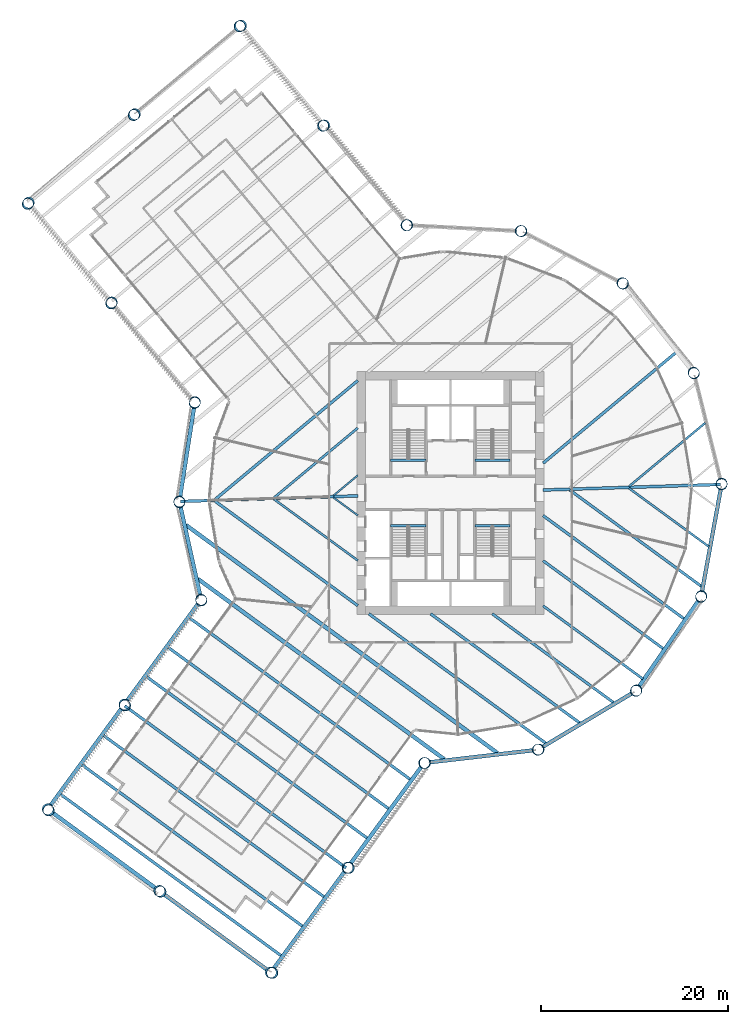
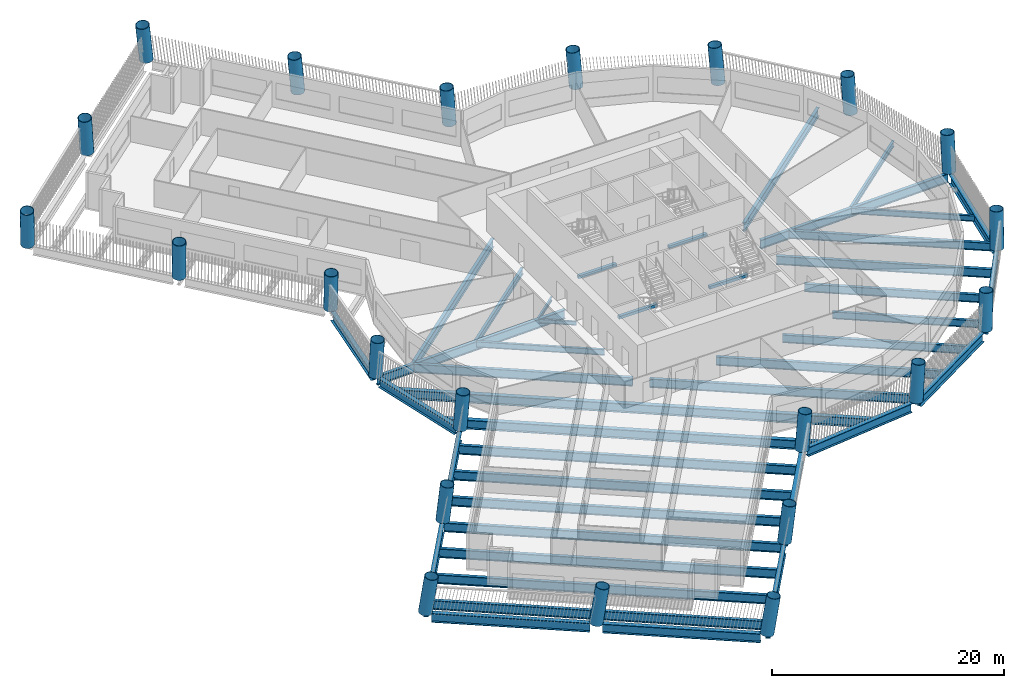
# One storey, part 1 of 15: 43 beams, 22 columns.
"""IFC4 building model written with IfcOpenShell, lengths in metres."""

import ifcopenshell
import ifcopenshell.guid

model = None  # the IFC model being written
_history = None  # IfcOwnerHistory: only IFC2X3 demands one
_inside = {}  # id of a spatial element -> (the spatial element, [elements in it])
_under = {}  # id of a project, library or spatial element -> (it, [spatial elements below it])
_declared = {}  # id of a project -> (the project, [libraries it declares])
_typed = {}  # id of a type object -> (the type object, [elements of that type])
_made_of = {}  # id of a material, layer set ... -> (it, [elements and type objects made of it])


def new_model(schema):
    """Start an empty IFC model of exactly this schema.

    Asked for "IFC4X3", IfcOpenShell would pick the latest addendum, in which some entities
    have other attributes; the version numbers below select the first issue.
    IFC2X3 requires an IfcOwnerHistory on every rooted entity: one is made here for all.
    """
    global model, _history
    if schema == "IFC4X3":
        model = ifcopenshell.file(schema_version=(4, 3, 0, 0))
    else:
        model = ifcopenshell.file(schema=schema)
    _inside.clear()
    _under.clear()
    _declared.clear()
    _typed.clear()
    _made_of.clear()
    _history = None
    if model.schema == "IFC2X3":
        org = make("IfcOrganization", Name="unknown")
        user = make(
            "IfcPersonAndOrganization",
            ThePerson=make("IfcPerson", FamilyName="unknown"),
            TheOrganization=org,
        )
        app = make(
            "IfcApplication",
            ApplicationDeveloper=org,
            Version="unknown",
            ApplicationFullName="unknown",
            ApplicationIdentifier="unknown",
        )
        _history = make(
            "IfcOwnerHistory",
            OwningUser=user,
            OwningApplication=app,
            ChangeAction="ADDED",
            CreationDate=0,
        )
    return model


def make(cls, **values):
    """One entity of the class cls with the attributes given. An attribute that is None is left unset."""
    return model.create_entity(
        cls, **{name: value for name, value in values.items() if value is not None}
    )


def rooted(cls, **values):
    """An entity with a GlobalId (a new one), such as an element, a storey or a relation."""
    return make(cls, GlobalId=ifcopenshell.guid.new(), OwnerHistory=_history, **values)


def si_unit(unit_type, name, prefix=None):
    """IfcSIUnit, for example si_unit("LENGTHUNIT", "METRE", prefix="MILLI")."""
    return make("IfcSIUnit", UnitType=unit_type, Prefix=prefix, Name=name)


def assignment(units):
    """IfcUnitAssignment: the units of a project."""
    return None if units is None else make("IfcUnitAssignment", Units=units)


def point(xyz):
    """IfcCartesianPoint."""
    return None if xyz is None else make("IfcCartesianPoint", Coordinates=xyz)


def direction(xyz):
    """IfcDirection."""
    return None if xyz is None else make("IfcDirection", DirectionRatios=xyz)


def frame(location, z_axis=None, x_axis=None):
    """IfcAxis2Placement3D, a coordinate frame: its origin and axes. An axis left out is left unset."""
    return make(
        "IfcAxis2Placement3D",
        Location=point(location),
        Axis=direction(z_axis),
        RefDirection=direction(x_axis),
    )


def frame_2d(location, x_axis=None):
    """IfcAxis2Placement2D, a coordinate frame in the plane: its origin and x axis."""
    return make(
        "IfcAxis2Placement2D", Location=point(location), RefDirection=direction(x_axis)
    )


def origin():
    """The frame at (0, 0, 0) with its axes left unset."""
    return frame((0.0, 0.0, 0.0))


def origin_2d():
    """The frame at (0, 0) in the plane with its x axis left unset."""
    return frame_2d((0.0, 0.0))


def place(relative_to, where):
    """IfcLocalPlacement: puts the frame where relative to a parent placement (None: the world)."""
    return make(
        "IfcLocalPlacement", PlacementRelTo=relative_to, RelativePlacement=where
    )


def context(
    kind, dimensions, precision=None, world=None, true_north=None, identifier=None
):
    """IfcGeometricRepresentationContext, for example the 3D "Model" context."""
    return make(
        "IfcGeometricRepresentationContext",
        ContextIdentifier=identifier,
        ContextType=kind,
        CoordinateSpaceDimension=dimensions,
        Precision=precision,
        WorldCoordinateSystem=world,
        TrueNorth=true_north,
    )


def subcontext(parent, identifier, kind, view, scale=None):
    """IfcGeometricRepresentationSubContext, for example "Body" below "Model"."""
    return make(
        "IfcGeometricRepresentationSubContext",
        ContextIdentifier=identifier,
        ContextType=kind,
        ParentContext=parent,
        TargetScale=scale,
        TargetView=view,
    )


def project(units=None, contexts=None):
    """IfcProject with its units and contexts."""
    return rooted(
        "IfcProject",
        Name="project",
        RepresentationContexts=contexts,
        UnitsInContext=assignment(units),
    )


def spatial(cls, under=None, at=None, **own):
    """A site, building, storey or space (cls), placed at a placement, below another one or the project."""
    s = rooted(cls, ObjectPlacement=at, **own)
    if under is not None:
        _under.setdefault(under.id(), (under, []))[1].append(s)
    return s


def profile(cls, at=None, kind="AREA", **sizes):
    """A parametric profile (cls). Its sizes go by their IFC names, for example OverallWidth=200.0."""
    return make(cls, ProfileType=kind, Position=at, **sizes)


def rectangle(**sizes):
    """IfcRectangleProfileDef."""
    return profile("IfcRectangleProfileDef", **sizes)


def hollow_circle(**sizes):
    """IfcCircleHollowProfileDef."""
    return profile("IfcCircleHollowProfileDef", **sizes)


def i_section(**sizes):
    """IfcIShapeProfileDef."""
    return profile("IfcIShapeProfileDef", **sizes)


def extrude(swept, where, along, depth):
    """IfcExtrudedAreaSolid: the profile swept, set in the frame where, extruded along a direction by depth."""
    return make(
        "IfcExtrudedAreaSolid",
        SweptArea=swept,
        Position=where,
        ExtrudedDirection=direction(along),
        Depth=depth,
    )


def shape(context_of_items, identifier, shape_type, items):
    """IfcShapeRepresentation: the items that make up one representation, for example the "Body"."""
    return make(
        "IfcShapeRepresentation",
        ContextOfItems=context_of_items,
        RepresentationIdentifier=identifier,
        RepresentationType=shape_type,
        Items=items,
    )


def material(Name=None, Category=None):
    """IfcMaterial."""
    return make("IfcMaterial", Name=Name, Category=Category)


def material_profile(
    of_material, cross_section, Name=None, Category=None, Priority=None
):
    """IfcMaterialProfile: a cross section and its material."""
    return make(
        "IfcMaterialProfile",
        Name=Name,
        Material=of_material,
        Profile=cross_section,
        Priority=Priority,
        Category=Category,
    )


def profile_set(profiles, Name=None, composite=None):
    """IfcMaterialProfileSet."""
    return make(
        "IfcMaterialProfileSet",
        Name=Name,
        MaterialProfiles=profiles,
        CompositeProfile=composite,
    )


def made_of(thing, what):
    """Note that an element or type object is made of a material, layer set ...; save() writes the relation."""
    if what is not None:
        _made_of.setdefault(what.id(), (what, []))[1].append(thing)
    return thing


def type_object(cls, material=None, **own):
    """A type object (cls), such as IfcWallType, which elements share."""
    return made_of(rooted(cls, **own), material)


def element(
    cls,
    number,
    at=None,
    inside=None,
    cuts=None,
    type_object=None,
    material=None,
    context=None,
    identifier="Body",
    shape_type=None,
    held_by="IfcProductDefinitionShape",
    body=None,
    shapes=None,
    **own,
):
    """One element of the class cls, such as IfcWall. Its Tag is "e" and its number.

    at: its placement. inside: the storey or other place that contains it. cuts: it is an
    opening in that element (IfcRelVoidsElement). A single representation is given by context,
    identifier, shape_type and body (its items); several are given by shapes. held_by: the class
    of the entity that holds the representations. save() writes the other relations.
    """
    e = rooted(cls, Tag="e%d" % number, ObjectPlacement=at, **own)
    if body is not None:
        shapes = [shape(context, identifier, shape_type, body)]
    if shapes is not None:
        e.Representation = make(held_by, Representations=shapes)
    if inside is not None:
        _inside.setdefault(inside.id(), (inside, []))[1].append(e)
    if cuts is not None:
        rooted(
            "IfcRelVoidsElement", RelatingBuildingElement=cuts, RelatedOpeningElement=e
        )
    if type_object is not None:
        _typed.setdefault(type_object.id(), (type_object, []))[1].append(e)
    return made_of(e, material)


def aggregate(whole, parts):
    """IfcRelAggregates: a whole, such as a stair, and the parts it consists of."""
    return rooted("IfcRelAggregates", RelatingObject=whole, RelatedObjects=parts)


def save(model, path):
    """Write the relations noted so far, then the file.

    IfcRelAggregates (storeys below a building ...), IfcRelContainedInSpatialStructure (elements
    in a storey), IfcRelDefinesByType, IfcRelAssociatesMaterial and IfcRelDeclares: one each for
    every whole, place, type object, material and project.
    """
    for whole, parts in _under.values():
        aggregate(whole, parts)
    for where, things in _inside.values():
        rooted(
            "IfcRelContainedInSpatialStructure",
            RelatedElements=things,
            RelatingStructure=where,
        )
    for kind, things in _typed.values():
        rooted("IfcRelDefinesByType", RelatedObjects=things, RelatingType=kind)
    for what, things in _made_of.values():
        rooted("IfcRelAssociatesMaterial", RelatedObjects=things, RelatingMaterial=what)
    for by, libraries in _declared.values():
        rooted("IfcRelDeclares", RelatingContext=by, RelatedDefinitions=libraries)
    model.write(path)


model = new_model("IFC4")

# Units and contexts
model_context = context("Model", 3, precision=1e-05, world=origin(), true_north=direction((0.0, 1.0)))
body_context = subcontext(model_context, "Body", "Model", "MODEL_VIEW")
ifc_project = project(units=[si_unit("LENGTHUNIT", "METRE"), si_unit("AREAUNIT", "SQUARE_METRE"), si_unit("VOLUMEUNIT", "CUBIC_METRE"), si_unit("PLANEANGLEUNIT", "RADIAN"), si_unit("MASSUNIT", "GRAM", prefix="KILO")], contexts=[model_context])

# Site, building, storey
site_placement = place(None, origin())
site = spatial("IfcSite", under=ifc_project, at=site_placement, CompositionType="ELEMENT")
building_placement = place(site_placement, origin())
building = spatial("IfcBuilding", under=site, at=building_placement, Name="Tarsis Ring Headquarters", CompositionType="ELEMENT")
storey_placement = place(building_placement, frame((0.0, 0.0, 43.89990234375)))
storey = spatial("IfcBuildingStorey", under=building, at=storey_placement, Name="L08", CompositionType="ELEMENT", Elevation=43.89990234375)

# Columns
ifc_material_1 = material(Name="Structural steel S460", Category="steel")
ifc_material_profile_1 = material_profile(ifc_material_1, hollow_circle(Radius=0.609619140625, WallThickness=0.050048828125, at=origin_2d()), Name="CHS 1219x50")
ifc_profile_set_1 = profile_set([ifc_material_profile_1], Name="Structural steel S460")
column_type = type_object("IfcColumnType", Name="XC Exo column CHS 1219x50", PredefinedType="COLUMN", material=ifc_profile_set_1)
column_1_placement = place(storey_placement, frame((-29.0341796875, -0.91259765625, 0.000732421875), z_axis=(0.002871868381, -0.077665310136, 0.996975351738), x_axis=(0.999317032848, 0.036952237549, 0.0)))
element("IfcColumn", 1, at=column_1_placement, inside=storey, type_object=column_type, Name="Exo column XC1 F1", PredefinedType="COLUMN", context=body_context, shape_type="SweptSolid", body=[
    extrude(hollow_circle(Radius=0.609619140625, WallThickness=0.050048828125, at=origin_2d()), origin(), (0.0, 0.0, 1.0), 3.910400390625),
])
column_2_placement = place(storey_placement, frame((-26.70556640625, -11.429443359375, 0.000732421875), z_axis=(0.030966063219, -0.071359294878, 0.996969886187), x_axis=(0.917350541077, 0.398080374781, 0.0)))
element("IfcColumn", 2, at=column_2_placement, inside=storey, type_object=column_type, Name="Exo column XC1 AK", PredefinedType="COLUMN", context=body_context, shape_type="SweptSolid", body=[
    extrude(hollow_circle(Radius=0.609619140625, WallThickness=0.050048828125, at=origin_2d()), origin(), (0.0, 0.0, 1.0), 3.91064453125),
])
column_3_placement = place(storey_placement, frame((-34.916259765625, -22.64794921875, 0.0009765625), z_axis=(0.060930806905, -0.092858798675, 0.993813201904), x_axis=(0.836080040141, 0.548607479422, 0.0)))
element("IfcColumn", 3, at=column_3_placement, inside=storey, type_object=column_type, Name="Exo column XC1 AI1", PredefinedType="COLUMN", context=body_context, shape_type="SweptSolid", body=[
    extrude(hollow_circle(Radius=0.609619140625, WallThickness=0.050048828125, at=origin_2d()), origin(), (0.0, 0.0, 1.0), 3.922607421875),
])
column_4_placement = place(storey_placement, frame((-43.126953125, -33.86669921875, 0.0009765625), z_axis=(0.090587235305, -0.11407051997, 0.989334053429), x_axis=(0.783104754639, 0.621889816014, 0.0)))
element("IfcColumn", 4, at=column_4_placement, inside=storey, type_object=column_type, Name="Exo column XC1 AT1", PredefinedType="COLUMN", context=body_context, shape_type="SweptSolid", body=[
    extrude(hollow_circle(Radius=0.609619140625, WallThickness=0.050048828125, at=origin_2d()), origin(), (0.0, 0.0, 1.0), 3.940185546875),
])
column_5_placement = place(storey_placement, frame((-31.183837890625, -42.607666015625, 0.0009765625), z_axis=(0.113724636717, -0.082286037581, 0.990098841037), x_axis=(0.586199994121, 0.810166382228, 0.0)))
element("IfcColumn", 5, at=column_5_placement, inside=storey, type_object=column_type, Name="Exo column XC1 AT2", PredefinedType="COLUMN", context=body_context, shape_type="SweptSolid", body=[
    extrude(hollow_circle(Radius=0.609619140625, WallThickness=0.050048828125, at=origin_2d()), origin(), (0.0, 0.0, 1.0), 3.937255859375),
])
column_6_placement = place(storey_placement, frame((-19.24072265625, -51.3486328125, 0.0009765625), z_axis=(0.136625365551, -0.050374794645, 0.989341139119), x_axis=(0.345941974512, 0.938255908732, 0.0)))
element("IfcColumn", 6, at=column_6_placement, inside=storey, type_object=column_type, Name="Exo column XC1 AT3", PredefinedType="COLUMN", context=body_context, shape_type="SweptSolid", body=[
    extrude(hollow_circle(Radius=0.609619140625, WallThickness=0.050048828125, at=origin_2d()), origin(), (0.0, 0.0, 1.0), 3.940185546875),
])
column_7_placement = place(storey_placement, frame((-11.030029296875, -40.1298828125, 0.0009765625), z_axis=(0.107235830333, -0.028878366381, 0.993814125804), x_axis=(0.260033766145, 0.965599523853, 0.0)))
element("IfcColumn", 7, at=column_7_placement, inside=storey, type_object=column_type, Name="Exo column XC1 AO1", PredefinedType="COLUMN", context=body_context, shape_type="SweptSolid", body=[
    extrude(hollow_circle(Radius=0.609619140625, WallThickness=0.050048828125, at=origin_2d()), origin(), (0.0, 0.0, 1.0), 3.922607421875),
])
for number, where, z_axis, x_axis, name in (
    (8, (-2.8193359375, -28.911376953125, 0.000732421875), (0.077415440027, -0.007117225938, 0.996973517572), (0.091549404075, 0.995800535556, 0.0), "Exo column XC1 AJ"),
    (9, (9.34814453125, -27.503173828125, 0.000732421875), (0.073482181514, 0.025409726318, 0.99697277536), (-0.326807180727, 0.945091036157, 0.0), "Exo column XC1 R1"),
    (10, (19.853759765625, -21.204833984375, 0.000732421875), (0.056438423886, 0.053441693414, 0.996974768845), (-0.687566391812, 0.726121516587, 0.0), "Exo column XC1 R2"),
    (11, (26.8291015625, -11.13623046875, 0.000732421875), (0.02940534337, 0.071983781116, 0.996972246874), (-0.925738679727, 0.378163849221, 0.0), "Exo column XC1 R3"),
    (12, (29.0341796875, 0.91259765625, 0.000732421875), (-0.002871868381, 0.077665310136, 0.996975351738), (-0.999317032848, -0.036952237549, 0.0), "Exo column XC1 R4"),
    (13, (26.076904296875, 12.799072265625, 0.000732421875), (-0.03464960843, 0.069611375494, 0.996972246874), (-0.895228645183, -0.445607083477, 0.0), "Exo column XC1 R5"),
):
    element("IfcColumn", number, at=place(storey_placement, frame(where, z_axis=z_axis, x_axis=x_axis)), inside=storey, type_object=column_type, Name=name, PredefinedType="COLUMN", context=body_context, shape_type="SweptSolid", body=[
        extrude(hollow_circle(Radius=0.609619140625, WallThickness=0.050048828125, at=origin_2d()), origin(), (0.0, 0.0, 1.0), 3.910400390625),
    ])
for number, where, z_axis, x_axis, name in (
    (14, (18.48291015625, 22.40966796875, 0.000732421875), (-0.060246508557, 0.049196112687, 0.996970461299), (-0.632494443805, -0.774564896284, 0.0), "Exo column XC1 R6"),
    (15, (7.602783203125, 28.035888671875, 0.000732421875), (-0.075167686976, 0.019978122784, 0.996970758571), (-0.256863195593, -0.966447773421, 0.0), "Exo column XC1 R7"),
):
    element("IfcColumn", number, at=place(storey_placement, frame(where, z_axis=z_axis, x_axis=x_axis)), inside=storey, type_object=column_type, Name=name, PredefinedType="COLUMN", context=body_context, shape_type="SweptSolid", body=[
        extrude(hollow_circle(Radius=0.609619140625, WallThickness=0.050048828125, at=origin_2d()), origin(), (0.0, 0.0, 1.0), 3.91064453125),
    ])
column_8_placement = place(storey_placement, frame((-4.62939453125, 28.67724609375, 0.000732421875), z_axis=(-0.076666346054, -0.012798534968, 0.996974658096), x_axis=(0.164659484382, -0.986350472298, 0.0)))
element("IfcColumn", 16, at=column_8_placement, inside=storey, type_object=column_type, Name="Exo column XC1 BJ", PredefinedType="COLUMN", context=body_context, shape_type="SweptSolid", body=[
    extrude(hollow_circle(Radius=0.609619140625, WallThickness=0.050048828125, at=origin_2d()), origin(), (0.0, 0.0, 1.0), 3.910400390625),
])
column_9_placement = place(storey_placement, frame((-13.5283203125, 39.358154296875, 0.0009765625), z_axis=(-0.104808807182, -0.03665818731, 0.993816527957), x_axis=(0.330150674806, -0.943928245115, 0.0)))
element("IfcColumn", 17, at=column_9_placement, inside=storey, type_object=column_type, Name="Exo column XC1 BO1", PredefinedType="COLUMN", context=body_context, shape_type="SweptSolid", body=[
    extrude(hollow_circle(Radius=0.609619140625, WallThickness=0.050048828125, at=origin_2d()), origin(), (0.0, 0.0, 1.0), 3.922607421875),
])
column_10_placement = place(storey_placement, frame((-22.42724609375, 50.038818359375, 0.0009765625), z_axis=(-0.132658377927, -0.060226036126, 0.989330369158), x_axis=(0.413386345318, -0.910555725645, 0.0)))
element("IfcColumn", 18, at=column_10_placement, inside=storey, type_object=column_type, Name="Exo column XC1 BT3", PredefinedType="COLUMN", context=body_context, shape_type="SweptSolid", body=[
    extrude(hollow_circle(Radius=0.609619140625, WallThickness=0.050048828125, at=origin_2d()), origin(), (0.0, 0.0, 1.0), 3.940185546875),
])
column_11_placement = place(storey_placement, frame((-33.7978515625, 40.565185546875, 0.0009765625), z_axis=(-0.107399483697, -0.090409034198, 0.990096741454), x_axis=(0.643999717535, -0.765025727551, 0.0)))
element("IfcColumn", 19, at=column_11_placement, inside=storey, type_object=column_type, Name="Exo column XC1 BT2", PredefinedType="COLUMN", context=body_context, shape_type="SweptSolid", body=[
    extrude(hollow_circle(Radius=0.609619140625, WallThickness=0.050048828125, at=origin_2d()), origin(), (0.0, 0.0, 1.0), 3.937255859375),
])
column_12_placement = place(storey_placement, frame((-45.16845703125, 31.091552734375, 0.0009765625), z_axis=(-0.081974812712, -0.120390824716, 0.989336231726), x_axis=(0.826578193457, -0.562821899096, 0.0)))
element("IfcColumn", 20, at=column_12_placement, inside=storey, type_object=column_type, Name="Exo column XC1 BT1", PredefinedType="COLUMN", context=body_context, shape_type="SweptSolid", body=[
    extrude(hollow_circle(Radius=0.609619140625, WallThickness=0.050048828125, at=origin_2d()), origin(), (0.0, 0.0, 1.0), 3.940185546875),
])
column_13_placement = place(storey_placement, frame((-36.26953125, 20.410888671875, 0.0009765625), z_axis=(-0.05396009129, -0.097090821698, 0.993811692872), x_axis=(0.87407797583, -0.485785644259, 0.0)))
element("IfcColumn", 21, at=column_13_placement, inside=storey, type_object=column_type, Name="Exo column XC1 BI1", PredefinedType="COLUMN", context=body_context, shape_type="SweptSolid", body=[
    extrude(hollow_circle(Radius=0.609619140625, WallThickness=0.050048828125, at=origin_2d()), origin(), (0.0, 0.0, 1.0), 3.922607421875),
])
column_14_placement = place(storey_placement, frame((-27.37060546875, 9.72998046875, 0.000732421875), z_axis=(-0.025659407402, -0.073419618259, 0.996970989782), x_axis=(0.944008435172, -0.329921315353, 0.0)))
element("IfcColumn", 22, at=column_14_placement, inside=storey, type_object=column_type, Name="Exo column XC1 BK", PredefinedType="COLUMN", context=body_context, shape_type="SweptSolid", body=[
    extrude(hollow_circle(Radius=0.609619140625, WallThickness=0.050048828125, at=origin_2d()), origin(), (0.0, 0.0, 1.0), 3.91064453125),
])

# Beams
ifc_material_2 = material(Name="Structural steel S355", Category="steel")
ifc_material_profile_2 = material_profile(ifc_material_2, i_section(OverallWidth=0.177734375, OverallDepth=0.406494140625, WebThickness=0.0078125, FlangeThickness=0.0126953125, at=origin_2d()), Name="W16x40")
ifc_profile_set_2 = profile_set([ifc_material_profile_2], Name="Structural steel S355")
beam_type_1 = type_object("IfcBeamType", Name="FB Floor beam W16x40", PredefinedType="JOIST", material=ifc_profile_set_2)
beam_1_placement = place(storey_placement, frame((-12.54052734375, -0.487548828125, -0.363037109375), z_axis=(0.806970917383, -0.590591177125, 0.0), x_axis=(0.590591177125, 0.806970917383, 0.0)))
element("IfcBeam", 23, at=beam_1_placement, inside=storey, type_object=beam_type_1, Name="Floor beam FB1", PredefinedType="JOIST", context=body_context, shape_type="SweptSolid", body=[
    extrude(i_section(OverallWidth=0.177734375, OverallDepth=0.406494140625, WebThickness=0.0078125, FlangeThickness=0.0126953125, at=origin_2d()), origin(), (0.0, 0.0, 1.0), 3.248291015625),
])
beam_2_placement = place(storey_placement, frame((-9.923095703125, 1.884765625, -0.363037109375), z_axis=(-0.76832675929, -0.640057802826, 0.0), x_axis=(0.640057802826, -0.76832675929, 0.0)))
element("IfcBeam", 24, at=beam_2_placement, inside=storey, type_object=beam_type_1, Name="Floor beam FB1", PredefinedType="JOIST", context=body_context, shape_type="SweptSolid", body=[
    extrude(i_section(OverallWidth=0.177734375, OverallDepth=0.406494140625, WebThickness=0.0078125, FlangeThickness=0.0126953125, at=origin_2d()), origin(), (0.0, 0.0, 1.0), 3.41455078125),
])
ifc_material_profile_3 = material_profile(ifc_material_2, i_section(OverallWidth=0.228271484375, OverallDepth=0.607177734375, WebThickness=0.01123046875, FlangeThickness=0.017333984375, at=origin_2d()), Name="W24x76")
ifc_profile_set_3 = profile_set([ifc_material_profile_3], Name="Structural steel S355")
beam_type_2 = type_object("IfcBeamType", Name="FB Floor beam W24x76", PredefinedType="JOIST", material=ifc_profile_set_3)
beam_3_placement = place(storey_placement, frame((19.116943359375, 0.50732421875, -0.46337890625), z_axis=(0.806965130269, -0.590599084431, 0.0), x_axis=(0.590599084431, 0.806965130269, 0.0)))
element("IfcBeam", 25, at=beam_3_placement, inside=storey, type_object=beam_type_2, Name="Floor beam FB4", PredefinedType="JOIST", context=body_context, shape_type="SweptSolid", body=[
    extrude(i_section(OverallWidth=0.228271484375, OverallDepth=0.607177734375, WebThickness=0.01123046875, FlangeThickness=0.017333984375, at=origin_2d()), origin(), (0.0, 0.0, 1.0), 10.621337890625),
])
beam_4_placement = place(storey_placement, frame((-18.8720703125, -0.6865234375, -0.46337890625), z_axis=(0.806961515877, -0.590604022923, 0.0), x_axis=(0.590604022923, 0.806961515877, 0.0)))
element("IfcBeam", 26, at=beam_4_placement, inside=storey, type_object=beam_type_2, Name="Floor beam FB4", PredefinedType="JOIST", context=body_context, shape_type="SweptSolid", body=[
    extrude(i_section(OverallWidth=0.228271484375, OverallDepth=0.607177734375, WebThickness=0.01123046875, FlangeThickness=0.017333984375, at=origin_2d()), origin(), (0.0, 0.0, 1.0), 11.094482421875),
])
beam_5_placement = place(storey_placement, frame((27.271240234375, 7.49267578125, -0.46337890625), z_axis=(-0.768292871352, -0.640098479791, 0.0), x_axis=(0.640098479791, -0.768292871352, 0.0)))
element("IfcBeam", 27, at=beam_5_placement, inside=storey, type_object=beam_type_2, Name="Floor beam FB4", PredefinedType="JOIST", context=body_context, shape_type="SweptSolid", body=[
    extrude(i_section(OverallWidth=0.228271484375, OverallDepth=0.607177734375, WebThickness=0.01123046875, FlangeThickness=0.017333984375, at=origin_2d()), origin(), (0.0, 0.0, 1.0), 10.62109375),
])
ifc_material_profile_4 = material_profile(ifc_material_2, i_section(OverallWidth=0.2529296875, OverallDepth=0.67822265625, WebThickness=0.01171875, FlangeThickness=0.016357421875, at=origin_2d()), Name="W27x84")
ifc_profile_set_4 = profile_set([ifc_material_profile_4], Name="Structural steel S355")
beam_type_3 = type_object("IfcBeamType", Name="FB Floor beam W27x84", PredefinedType="JOIST", material=ifc_profile_set_4)
beam_6_placement = place(storey_placement, frame((-9.923095703125, 6.961181640625, -0.4990234375), z_axis=(-0.768281367434, -0.640112287379, 0.0), x_axis=(0.640112287379, -0.768281367434, 0.0)))
element("IfcBeam", 28, at=beam_6_placement, inside=storey, type_object=beam_type_3, Name="Floor beam FB5", PredefinedType="JOIST", context=body_context, shape_type="SweptSolid", body=[
    extrude(i_section(OverallWidth=0.2529296875, OverallDepth=0.67822265625, WebThickness=0.01171875, FlangeThickness=0.016357421875, at=origin_2d()), origin(), (0.0, 0.0, 1.0), 11.65576171875),
])
ifc_material_profile_5 = material_profile(ifc_material_2, i_section(OverallWidth=0.2666015625, OverallDepth=0.7568359375, WebThickness=0.013916015625, FlangeThickness=0.019287109375, at=origin_2d()), Name="W30x108")
ifc_profile_set_5 = profile_set([ifc_material_profile_5], Name="Structural steel S355")
beam_type_4 = type_object("IfcBeamType", Name="FB Floor beam W30x108", PredefinedType="JOIST", material=ifc_profile_set_5)
beam_7_placement = place(storey_placement, frame((9.919189453125, -12.0927734375, -0.538330078125), z_axis=(0.806960060613, -0.590606011293, 0.0), x_axis=(0.590606011293, 0.806960060613, 0.0)))
element("IfcBeam", 29, at=beam_7_placement, inside=storey, type_object=beam_type_4, Name="Floor beam FB6", PredefinedType="JOIST", context=body_context, shape_type="SweptSolid", body=[
    extrude(i_section(OverallWidth=0.2666015625, OverallDepth=0.7568359375, WebThickness=0.013916015625, FlangeThickness=0.019287109375, at=origin_2d()), origin(), (0.0, 0.0, 1.0), 13.247802734375),
])
ifc_material_profile_6 = material_profile(ifc_material_2, i_section(OverallWidth=0.2919921875, OverallDepth=0.835693359375, WebThickness=0.013916015625, FlangeThickness=0.018798828125, at=origin_2d()), Name="W33x118")
ifc_profile_set_6 = profile_set([ifc_material_profile_6], Name="Structural steel S355")
beam_type_5 = type_object("IfcBeamType", Name="FB Floor beam W33x118", PredefinedType="JOIST", material=ifc_profile_set_6)
beam_8_placement = place(storey_placement, frame((12.785400390625, 0.308349609375, -0.57763671875), z_axis=(0.806966109745, -0.590597746121, 0.0), x_axis=(0.590597746121, 0.806966109745, 0.0)))
element("IfcBeam", 30, at=beam_8_placement, inside=storey, type_object=beam_type_5, Name="Floor beam FB7", PredefinedType="JOIST", context=body_context, shape_type="SweptSolid", body=[
    extrude(i_section(OverallWidth=0.2919921875, OverallDepth=0.835693359375, WebThickness=0.013916015625, FlangeThickness=0.018798828125, at=origin_2d()), origin(), (0.0, 0.0, 1.0), 17.500732421875),
])
beam_9_placement = place(storey_placement, frame((9.919189453125, -7.259765625, -0.57763671875), z_axis=(0.806961508738, -0.590604032677, 0.0), x_axis=(0.590604032677, 0.806961508738, 0.0)))
element("IfcBeam", 31, at=beam_9_placement, inside=storey, type_object=beam_type_5, Name="Floor beam FB7", PredefinedType="JOIST", context=body_context, shape_type="SweptSolid", body=[
    extrude(i_section(OverallWidth=0.2919921875, OverallDepth=0.835693359375, WebThickness=0.013916015625, FlangeThickness=0.018798828125, at=origin_2d()), origin(), (0.0, 0.0, 1.0), 16.0009765625),
])
beam_10_placement = place(storey_placement, frame((4.474853515625, -12.94091796875, -0.57763671875), z_axis=(0.806961411704, -0.590604165259, 0.0), x_axis=(0.590604165259, 0.806961411704, 0.0)))
element("IfcBeam", 32, at=beam_10_placement, inside=storey, type_object=beam_type_5, Name="Floor beam FB7", PredefinedType="JOIST", context=body_context, shape_type="SweptSolid", body=[
    extrude(i_section(OverallWidth=0.2919921875, OverallDepth=0.835693359375, WebThickness=0.013916015625, FlangeThickness=0.018798828125, at=origin_2d()), origin(), (0.0, 0.0, 1.0), 16.14306640625),
])
ifc_material_profile_7 = material_profile(ifc_material_2, i_section(OverallWidth=0.3046875, OverallDepth=0.904296875, WebThickness=0.01513671875, FlangeThickness=0.02001953125, at=origin_2d()), Name="W36x135")
ifc_profile_set_7 = profile_set([ifc_material_profile_7], Name="Structural steel S355")
beam_type_6 = type_object("IfcBeamType", Name="FB Floor beam W36x135", PredefinedType="JOIST", material=ifc_profile_set_7)
beam_11_placement = place(storey_placement, frame((9.919189453125, -2.427001953125, -0.612060546875), z_axis=(0.806962531687, -0.590602634987, 0.0), x_axis=(0.590602634987, 0.806962531687, 0.0)))
element("IfcBeam", 33, at=beam_11_placement, inside=storey, type_object=beam_type_6, Name="Floor beam FB8", PredefinedType="JOIST", context=body_context, shape_type="SweptSolid", body=[
    extrude(i_section(OverallWidth=0.3046875, OverallDepth=0.904296875, WebThickness=0.01513671875, FlangeThickness=0.02001953125, at=origin_2d()), origin(), (0.0, 0.0, 1.0), 18.75390625),
])
beam_12_placement = place(storey_placement, frame((-2.128662109375, -12.94091796875, -0.612060546875), z_axis=(0.806959332632, -0.590607005951, 0.0), x_axis=(0.590607005951, 0.806959332632, 0.0)))
element("IfcBeam", 34, at=beam_12_placement, inside=storey, type_object=beam_type_6, Name="Floor beam FB8", PredefinedType="JOIST", context=body_context, shape_type="SweptSolid", body=[
    extrude(i_section(OverallWidth=0.3046875, OverallDepth=0.904296875, WebThickness=0.01513671875, FlangeThickness=0.02001953125, at=origin_2d()), origin(), (0.0, 0.0, 1.0), 19.827880859375),
])
beam_13_placement = place(storey_placement, frame((-25.20361328125, -0.885498046875, -0.612060546875), z_axis=(0.806959903484, -0.590606225982, 0.0), x_axis=(0.590606225982, 0.806959903484, 0.0)))
element("IfcBeam", 35, at=beam_13_placement, inside=storey, type_object=beam_type_6, Name="Floor beam FB8", PredefinedType="JOIST", context=body_context, shape_type="SweptSolid", body=[
    extrude(i_section(OverallWidth=0.3046875, OverallDepth=0.904296875, WebThickness=0.01513671875, FlangeThickness=0.02001953125, at=origin_2d()), origin(), (0.0, 0.0, 1.0), 18.940673828125),
])
beam_14_placement = place(storey_placement, frame((24.15576171875, 15.049560546875, -0.612060546875), z_axis=(-0.768285009373, -0.640107916192, 0.0), x_axis=(0.640107916192, -0.768285009373, 0.0)))
element("IfcBeam", 36, at=beam_14_placement, inside=storey, type_object=beam_type_6, Name="Floor beam FB8", PredefinedType="JOIST", context=body_context, shape_type="SweptSolid", body=[
    extrude(i_section(OverallWidth=0.3046875, OverallDepth=0.904296875, WebThickness=0.01513671875, FlangeThickness=0.02001953125, at=origin_2d()), origin(), (0.0, 0.0, 1.0), 18.525146484375),
])
beam_15_placement = place(storey_placement, frame((-9.923095703125, 12.037353515625, -0.612060546875), z_axis=(-0.768284639217, -0.640108360469, 0.0), x_axis=(0.640108360469, -0.768284639217, 0.0)))
element("IfcBeam", 37, at=beam_15_placement, inside=storey, type_object=beam_type_6, Name="Floor beam FB8", PredefinedType="JOIST", context=body_context, shape_type="SweptSolid", body=[
    extrude(i_section(OverallWidth=0.3046875, OverallDepth=0.904296875, WebThickness=0.01513671875, FlangeThickness=0.02001953125, at=origin_2d()), origin(), (0.0, 0.0, 1.0), 19.896728515625),
])
ifc_material_profile_8 = material_profile(ifc_material_2, i_section(OverallWidth=0.3046875, OverallDepth=0.91943359375, WebThickness=0.017333984375, FlangeThickness=0.02783203125, at=origin_2d()), Name="W36x170")
ifc_profile_set_8 = profile_set([ifc_material_profile_8], Name="Structural steel S355")
beam_type_7 = type_object("IfcBeamType", Name="FB Floor beam W36x170", PredefinedType="JOIST", material=ifc_profile_set_8)
beam_16_placement = place(storey_placement, frame((-8.73193359375, -12.94091796875, -0.61962890625), z_axis=(0.80695790519, -0.590608956292, 0.0), x_axis=(0.590608956292, 0.80695790519, 0.0)))
element("IfcBeam", 38, at=beam_16_placement, inside=storey, type_object=beam_type_7, Name="Floor beam FB9", PredefinedType="JOIST", context=body_context, shape_type="SweptSolid", body=[
    extrude(i_section(OverallWidth=0.3046875, OverallDepth=0.91943359375, WebThickness=0.017333984375, FlangeThickness=0.02783203125, at=origin_2d()), origin(), (0.0, 0.0, 1.0), 23.512451171875),
])
ifc_material_profile_9 = material_profile(ifc_material_2, i_section(OverallWidth=0.309814453125, OverallDepth=0.949951171875, WebThickness=0.0244140625, FlangeThickness=0.0439453125, at=origin_2d()), Name="W36x256")
ifc_profile_set_9 = profile_set([ifc_material_profile_9], Name="Structural steel S355")
beam_type_8 = type_object("IfcBeamType", Name="FB Floor beam W36x256", PredefinedType="JOIST", material=ifc_profile_set_9)
for number, where, z_axis, x_axis, name in (
    (39, (-27.97607421875, -13.355224609375, -0.635009765625), (0.806958448295, -0.590608214238, 0.0), (0.590608214238, 0.806958448295, 0.0), "Floor beam FB11"),
    (40, (-30.279541015625, -16.50244140625, -0.635009765625), (0.806962409257, -0.590602802268, 0.0), (0.590602802268, 0.806962409257, 0.0), "Floor beam FB11"),
    (41, (-32.582763671875, -19.649658203125, -0.635009765625), (0.806962409257, -0.590602802268, 0.0), (0.590602802268, 0.806962409257, 0.0), "Floor beam FB11"),
    (42, (-34.88623046875, -22.796630859375, -0.635009765625), (0.806958448295, -0.590608214238, 0.0), (0.590608214238, 0.806958448295, 0.0), "Floor beam FB11"),
    (43, (-37.189453125, -25.94384765625, -0.635009765625), (0.806958448295, -0.590608214238, 0.0), (0.590608214238, 0.806958448295, 0.0), "Floor beam FB11"),
    (44, (-39.492919921875, -29.091064453125, -0.635009765625), (0.806962409257, -0.590602802268, 0.0), (0.590602802268, 0.806962409257, 0.0), "Floor beam FB11"),
    (45, (-41.796142578125, -32.238037109375, -0.635009765625), (0.806958448295, -0.590608214238, 0.0), (0.590608214238, 0.806958448295, 0.0), "Floor beam FB11"),
):
    element("IfcBeam", number, at=place(storey_placement, frame(where, z_axis=z_axis, x_axis=x_axis)), inside=storey, type_object=beam_type_8, Name=name, PredefinedType="JOIST", context=body_context, shape_type="SweptSolid", body=[
        extrude(i_section(OverallWidth=0.309814453125, OverallDepth=0.949951171875, WebThickness=0.0244140625, FlangeThickness=0.0439453125, at=origin_2d()), origin(), (0.0, 0.0, 1.0), 29.375732421875),
    ])
beam_type_9 = type_object("IfcBeamType", Name="FB Floor beam W36x256 spine", PredefinedType="BEAM", material=ifc_profile_set_9)
beam_17_placement = place(storey_placement, frame((-9.900146484375, -0.31103515625, -0.635009765625), z_axis=(-0.999506590456, -0.031409801582, 0.0), x_axis=(0.031409801582, -0.999506590456, 0.0)))
element("IfcBeam", 46, at=beam_17_placement, inside=storey, type_object=beam_type_9, Name="Floor beam SB11", PredefinedType="BEAM", context=body_context, shape_type="SweptSolid", body=[
    extrude(i_section(OverallWidth=0.309814453125, OverallDepth=0.949951171875, WebThickness=0.0244140625, FlangeThickness=0.0439453125, at=origin_2d()), origin(), (0.0, 0.0, 1.0), 19.027587890625),
])
beam_18_placement = place(storey_placement, frame((28.917236328125, 0.90869140625, -0.635009765625), z_axis=(-0.999506527157, -0.031411815781, 0.0), x_axis=(0.031411815781, -0.999506527157, 0.0)))
element("IfcBeam", 47, at=beam_18_placement, inside=storey, type_object=beam_type_9, Name="Floor beam SB11", PredefinedType="BEAM", context=body_context, shape_type="SweptSolid", body=[
    extrude(i_section(OverallWidth=0.309814453125, OverallDepth=0.949951171875, WebThickness=0.0244140625, FlangeThickness=0.0439453125, at=origin_2d()), origin(), (0.0, 0.0, 1.0), 19.0263671875),
])
ifc_material_profile_10 = material_profile(ifc_material_2, i_section(OverallWidth=0.42431640625, OverallDepth=0.947509765625, WebThickness=0.02392578125, FlangeThickness=0.042724609375, at=origin_2d()), Name="W36x302")
ifc_profile_set_10 = profile_set([ifc_material_profile_10], Name="Structural steel S355")
beam_type_10 = type_object("IfcBeamType", Name="FB Floor beam W36x302", PredefinedType="JOIST", material=ifc_profile_set_10)
beam_19_placement = place(storey_placement, frame((-28.326416015625, -3.432861328125, -0.633544921875), z_axis=(0.806959089542, -0.59060733809, 0.0), x_axis=(0.59060733809, 0.806959089542, 0.0)))
element("IfcBeam", 48, at=beam_19_placement, inside=storey, type_object=beam_type_10, Name="Floor beam FB12", PredefinedType="JOIST", context=body_context, shape_type="SweptSolid", body=[
    extrude(i_section(OverallWidth=0.42431640625, OverallDepth=0.947509765625, WebThickness=0.02392578125, FlangeThickness=0.042724609375, at=origin_2d()), origin(), (0.0, 0.0, 1.0), 41.35302734375),
])
beam_20_placement = place(storey_placement, frame((-27.04931640625, -9.200439453125, -0.633544921875), z_axis=(0.806958562032, -0.590608058837, 0.0), x_axis=(0.590608058837, 0.806958562032, 0.0)))
element("IfcBeam", 49, at=beam_20_placement, inside=storey, type_object=beam_type_10, Name="Floor beam FB12", PredefinedType="JOIST", context=body_context, shape_type="SweptSolid", body=[
    extrude(i_section(OverallWidth=0.42431640625, OverallDepth=0.947509765625, WebThickness=0.02392578125, FlangeThickness=0.042724609375, at=origin_2d()), origin(), (0.0, 0.0, 1.0), 32.704833984375),
])
ifc_material_3 = material(Name="Concrete C40/50", Category="concrete")
ifc_material_profile_11 = material_profile(ifc_material_3, rectangle(XDim=0.300048828125, YDim=0.300048828125, at=origin_2d()), Name="Stair head beam 300x300 C40/50")
ifc_profile_set_11 = profile_set([ifc_material_profile_11], Name="Concrete C40/50")
beam_type_11 = type_object("IfcBeamType", Name="Stair head beam 300x300 C40/50", PredefinedType="BEAM", material=ifc_profile_set_11)
for number, where, z_axis, x_axis, name in (
    (50, (-6.39990234375, 3.510009765625, -0.309814453125), (1.0, 0.0, 0.0), (0.0, 1.0, 0.0), "Stair head beam L08 Firefighting stair"),
    (51, (2.60009765625, 3.510009765625, -0.309814453125), (1.0, 0.0, 0.0), (0.0, 1.0, 0.0), "Stair head beam L08 Exit stair B"),
    (52, (-6.39990234375, -3.510009765625, -0.309814453125), (1.0, 0.0, 0.0), (0.0, 1.0, 0.0), "Stair head beam L08 Exit stair C"),
    (53, (2.60009765625, -3.510009765625, -0.309814453125), (1.0, 0.0, 0.0), (0.0, 1.0, 0.0), "Stair head beam L08 Exit stair D"),
):
    element("IfcBeam", number, at=place(storey_placement, frame(where, z_axis=z_axis, x_axis=x_axis)), inside=storey, type_object=beam_type_11, Name=name, PredefinedType="BEAM", context=body_context, shape_type="SweptSolid", body=[
        extrude(rectangle(XDim=0.300048828125, YDim=0.300048828125, at=origin_2d()), origin(), (0.0, 0.0, 1.0), 3.7998046875),
    ])
beam_type_12 = type_object("IfcBeamType", Name="XG Ring girder W36x302", PredefinedType="BEAM", material=ifc_profile_set_10)
beam_21_placement = place(storey_placement, frame((-28.91552734375, -1.447998046875, -0.4736328125), z_axis=(0.216166204878, -0.976356580286, 0.0), x_axis=(0.976356580286, 0.216166204878, 0.0)))
element("IfcBeam", 54, at=beam_21_placement, inside=storey, type_object=beam_type_12, Name="Ring girder XG1", PredefinedType="BEAM", context=body_context, shape_type="SweptSolid", body=[
    extrude(i_section(OverallWidth=0.42431640625, OverallDepth=0.947509765625, WebThickness=0.02392578125, FlangeThickness=0.042724609375, at=origin_2d()), origin(), (0.0, 0.0, 1.0), 9.674560546875),
])
beam_22_placement = place(storey_placement, frame((-27.029541015625, -11.8720703125, -0.4736328125), z_axis=(-0.59060297067, -0.806962286006, 0.0), x_axis=(0.806962286006, -0.59060297067, 0.0)))
element("IfcBeam", 55, at=beam_22_placement, inside=storey, type_object=beam_type_12, Name="Ring girder XG1", PredefinedType="BEAM", context=body_context, shape_type="SweptSolid", body=[
    extrude(i_section(OverallWidth=0.42431640625, OverallDepth=0.947509765625, WebThickness=0.02392578125, FlangeThickness=0.042724609375, at=origin_2d()), origin(), (0.0, 0.0, 1.0), 12.80517578125),
])
beam_23_placement = place(storey_placement, frame((-35.240234375, -23.0908203125, -0.4736328125), z_axis=(-0.59061205745, -0.806955635456, 0.0), x_axis=(0.806955635456, -0.59061205745, 0.0)))
element("IfcBeam", 56, at=beam_23_placement, inside=storey, type_object=beam_type_12, Name="Ring girder XG1", PredefinedType="BEAM", context=body_context, shape_type="SweptSolid", body=[
    extrude(i_section(OverallWidth=0.42431640625, OverallDepth=0.947509765625, WebThickness=0.02392578125, FlangeThickness=0.042724609375, at=origin_2d()), origin(), (0.0, 0.0, 1.0), 12.804931640625),
])
for number, where, z_axis, x_axis, name in (
    (57, (-42.684326171875, -34.190673828125, -0.4736328125), (0.806966536034, -0.590597163659, 0.0), (0.590597163659, 0.806966536034, 0.0), "Ring girder XG1"),
    (58, (-30.7412109375, -42.931640625, -0.4736328125), (0.806966536034, -0.590597163659, 0.0), (0.590597163659, 0.806966536034, 0.0), "Ring girder XG1"),
):
    element("IfcBeam", number, at=place(storey_placement, frame(where, z_axis=z_axis, x_axis=x_axis)), inside=storey, type_object=beam_type_12, Name=name, PredefinedType="BEAM", context=body_context, shape_type="SweptSolid", body=[
        extrude(i_section(OverallWidth=0.42431640625, OverallDepth=0.947509765625, WebThickness=0.02392578125, FlangeThickness=0.042724609375, at=origin_2d()), origin(), (0.0, 0.0, 1.0), 13.70263671875),
    ])
beam_24_placement = place(storey_placement, frame((-18.9169921875, -50.90576171875, -0.4736328125), z_axis=(0.59061205745, 0.806955635456, 0.0), x_axis=(-0.806955635456, 0.59061205745, 0.0)))
element("IfcBeam", 59, at=beam_24_placement, inside=storey, type_object=beam_type_12, Name="Ring girder XG1", PredefinedType="BEAM", context=body_context, shape_type="SweptSolid", body=[
    extrude(i_section(OverallWidth=0.42431640625, OverallDepth=0.947509765625, WebThickness=0.02392578125, FlangeThickness=0.042724609375, at=origin_2d()), origin(), (0.0, 0.0, 1.0), 12.804931640625),
])
beam_25_placement = place(storey_placement, frame((-10.706298828125, -39.687255859375, -0.4736328125), z_axis=(0.59060297067, 0.806962286006, 0.0), x_axis=(-0.806962286006, 0.59060297067, 0.0)))
element("IfcBeam", 60, at=beam_25_placement, inside=storey, type_object=beam_type_12, Name="Ring girder XG1", PredefinedType="BEAM", context=body_context, shape_type="SweptSolid", body=[
    extrude(i_section(OverallWidth=0.42431640625, OverallDepth=0.947509765625, WebThickness=0.02392578125, FlangeThickness=0.042724609375, at=origin_2d()), origin(), (0.0, 0.0, 1.0), 12.80517578125),
])
for number, where, z_axis, x_axis, name in (
    (61, (-2.2744140625, -28.848388671875, -0.4736328125), (0.993370143029, 0.114959814454, 0.0), (-0.114959814454, 0.993370143029, 0.0), "Ring girder XG1"),
    (62, (9.818603515625, -27.22119140625, -0.4736328125), (0.857672523219, 0.514196307761, 0.0), (-0.514196307761, 0.857672523219, 0.0), "Ring girder XG1"),
    (63, (20.166015625, -20.75390625, -0.4736328125), (0.569475202228, 0.82200851215, 0.0), (-0.82200851215, 0.569475202228, 0.0), "Ring girder XG1"),
    (64, (26.927734375, -10.5966796875, -0.4736328125), (0.180023915494, 0.98366223362, 0.0), (-0.98366223362, 0.180023915494, 0.0), "Ring girder XG1"),
):
    element("IfcBeam", number, at=place(storey_placement, frame(where, z_axis=z_axis, x_axis=x_axis)), inside=storey, type_object=beam_type_12, Name=name, PredefinedType="BEAM", context=body_context, shape_type="SweptSolid", body=[
        extrude(i_section(OverallWidth=0.42431640625, OverallDepth=0.947509765625, WebThickness=0.02392578125, FlangeThickness=0.042724609375, at=origin_2d()), origin(), (0.0, 0.0, 1.0), 11.151611328125),
    ])
beam_26_placement = place(storey_placement, frame((-27.455322265625, 9.18798828125, -0.4736328125), z_axis=(-0.154442314662, -0.988001807408, 0.0), x_axis=(0.988001807408, -0.154442314662, 0.0)))
element("IfcBeam", 65, at=beam_26_placement, inside=storey, type_object=beam_type_12, Name="Ring girder XG1", PredefinedType="BEAM", context=body_context, shape_type="SweptSolid", body=[
    extrude(i_section(OverallWidth=0.42431640625, OverallDepth=0.947509765625, WebThickness=0.02392578125, FlangeThickness=0.042724609375, at=origin_2d()), origin(), (0.0, 0.0, 1.0), 9.67431640625),
])

save(model, "model.ifc")
